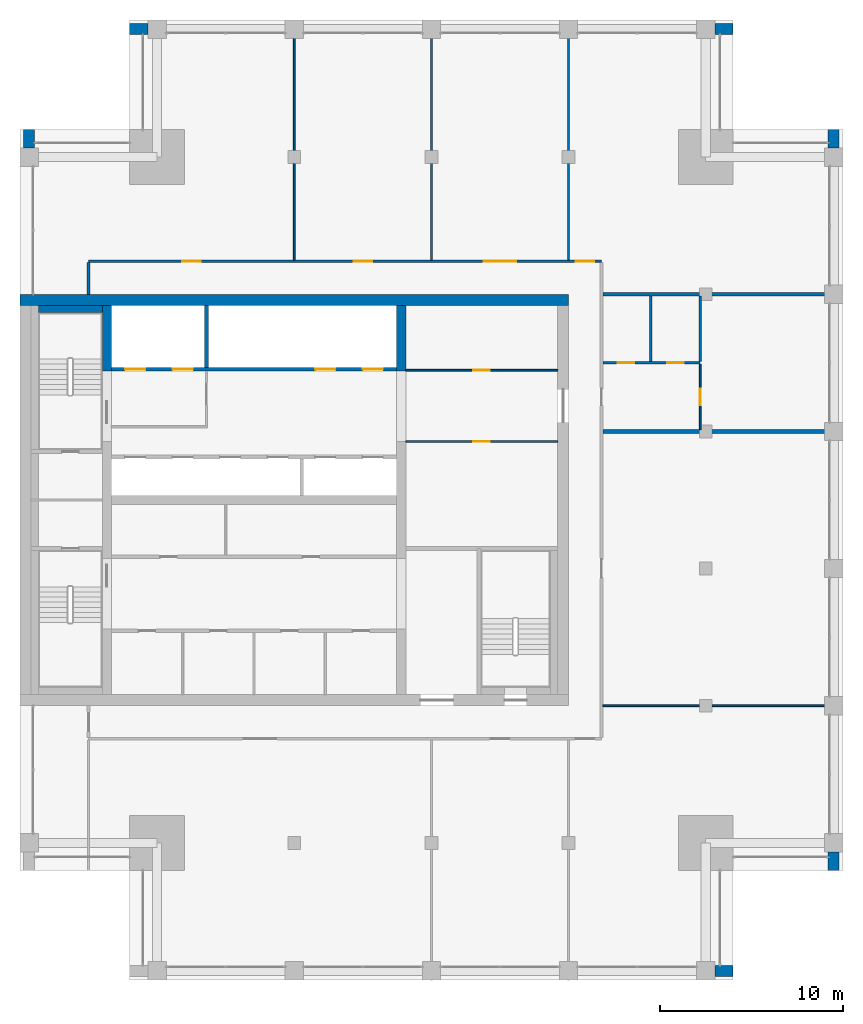
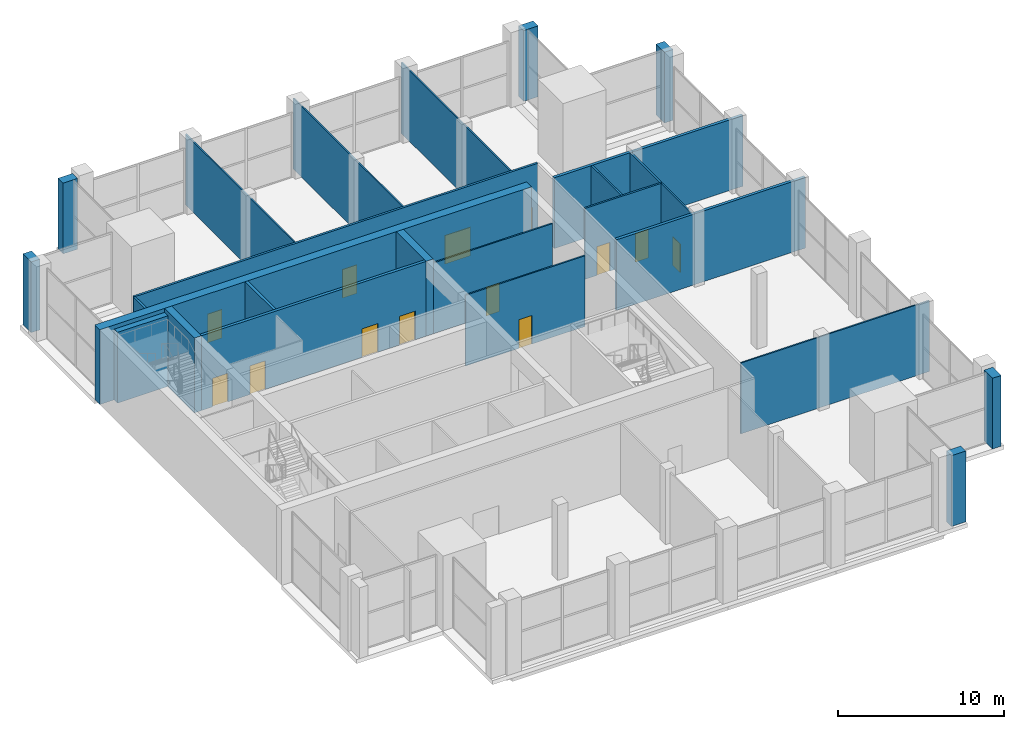
# One storey, part 10 of 15: 26 walls, 13 doors, 13 openings.
"""IFC4 building model written with IfcOpenShell, lengths in metres."""

from ifc_helpers import new_model, si_unit, direction, frame, frame_2d, origin, place, context, subcontext, project, spatial, rectangle, extrude, material, layer, layer_set, type_object, element, fill, save


model = new_model("IFC4")

# Units and contexts
model_context = context("Model", 3, precision=1e-05, world=origin(), true_north=direction((0.0, 1.0)))
body_context = subcontext(model_context, "Body", "Model", "MODEL_VIEW")
ifc_project = project(units=[si_unit("LENGTHUNIT", "METRE"), si_unit("AREAUNIT", "SQUARE_METRE"), si_unit("VOLUMEUNIT", "CUBIC_METRE"), si_unit("PLANEANGLEUNIT", "RADIAN"), si_unit("MASSUNIT", "GRAM", prefix="KILO")], contexts=[model_context])

# Site, building, storey
site_placement = place(None, origin())
site = spatial("IfcSite", under=ifc_project, at=site_placement, CompositionType="ELEMENT")
building_placement = place(site_placement, origin())
building = spatial("IfcBuilding", under=site, at=building_placement, Name="Tamorin Gate", CompositionType="ELEMENT")
storey_placement = place(building_placement, frame((0.0, 0.0, 292.199951171875)))
storey = spatial("IfcBuildingStorey", under=building, at=storey_placement, Name="L73", CompositionType="ELEMENT", Elevation=292.199951171875)

# Walls
ifc_material_1 = material(Name="Precast concrete C40/50", Category="concrete")
ifc_layer_1 = layer(ifc_material_1, 0.60009765625)
ifc_layer_set_1 = layer_set([ifc_layer_1], Name="Precast concrete C40/50")
wall_type_1 = type_object("IfcWallType", Name="Board-marked concrete facade panel 600", PredefinedType="SOLIDWALL", material=ifc_layer_set_1)
for number, where, z_axis, x_axis, name in (
    (1, (68.0, 45.5, 0.0), (0.0, 0.0, 1.0), (1.0, 0.0, 0.0), "Facade panel"),
    (2, (74.5, 51.0, 0.0), (0.0, 0.0, 1.0), (0.0, 1.0, 0.0), "Facade panel"),
    (3, (74.5, 90.5, 0.0), (0.0, 0.0, 1.0), (0.0, 1.0, 0.0), "Facade panel"),
    (4, (69.0, 97.0, 0.0), (0.0, 0.0, 1.0), (-1.0, 0.0, 0.0), "Facade panel"),
    (5, (37.0, 97.0, 0.0), (0.0, 0.0, 1.0), (-1.0, 0.0, 0.0), "Facade panel"),
    (6, (30.5, 91.5, 0.0), (0.0, 0.0, 1.0), (0.0, -1.0, 0.0), "Facade panel"),
):
    element("IfcWall", number, at=place(storey_placement, frame(where, z_axis=z_axis, x_axis=x_axis)), inside=storey, type_object=wall_type_1, Name=name, PredefinedType="SOLIDWALL", context=body_context, shape_type="SweptSolid", body=[
        extrude(rectangle(XDim=1.0, YDim=0.60009765625, at=frame_2d((0.5, 0.0))), origin(), (0.0, 0.0, 1.0), 5.199951171875),
    ])

# Wall, openings, doors
ifc_material_2 = material(Name="Gypsum board partition")
ifc_layer_2 = layer(ifc_material_2, 0.14990234375)
ifc_layer_set_2 = layer_set([ifc_layer_2], Name="Corridor wall 150")
wall_type_2 = type_object("IfcWallType", Name="Corridor wall 150", PredefinedType="PARTITIONING", material=ifc_layer_set_2)
wall_1_placement = place(storey_placement, frame((33.75, 84.300048828125, 0.0), z_axis=(0.0, 0.0, 1.0), x_axis=(1.0, 0.0, 0.0)))
wall_1 = element("IfcWall", 7, at=wall_1_placement, inside=storey, type_object=wall_type_2, Name="Corridor wall 150", PredefinedType="PARTITIONING", context=body_context, shape_type="SweptSolid", body=[
    extrude(rectangle(XDim=28.050048828125, YDim=0.14990234375, at=frame_2d((14.02490234375, 0.0))), origin(), (0.0, 0.0, 1.0), 5.199951171875),
])
opening_1_placement = place(wall_1_placement, frame((5.125, 0.0, 0.0)))
opening_1 = element("IfcOpeningElement", 8, at=opening_1_placement, cuts=wall_1, Name="Opening DSR1005", PredefinedType="OPENING", context=body_context, shape_type="SweptSolid", body=[
    extrude(rectangle(XDim=1.0, YDim=2.10009765625, at=frame_2d((0.5, 1.050048828125))), frame((0.0, 0.0849609375, 0.0), z_axis=(0.0, -1.0, 0.0), x_axis=(1.0, 0.0, 0.0)), (0.0, 0.0, 1.0), 0.169921875),
])
opening_2_placement = place(wall_1_placement, frame((14.5, 0.0, 0.0)))
opening_2 = element("IfcOpeningElement", 9, at=opening_2_placement, cuts=wall_1, Name="Opening DSR1006", PredefinedType="OPENING", context=body_context, shape_type="SweptSolid", body=[
    extrude(rectangle(XDim=1.0, YDim=2.10009765625, at=frame_2d((0.5, 1.050048828125))), frame((0.0, 0.0849609375, 0.0), z_axis=(0.0, -1.0, 0.0), x_axis=(1.0, 0.0, 0.0)), (0.0, 0.0, 1.0), 0.169921875),
])
opening_3_placement = place(wall_1_placement, frame((21.60009765625, 0.0, 0.0)))
opening_3 = element("IfcOpeningElement", 10, at=opening_3_placement, cuts=wall_1, Name="Opening DSR1007", PredefinedType="OPENING", context=body_context, shape_type="SweptSolid", body=[
    extrude(rectangle(XDim=1.800048828125, YDim=2.10009765625, at=frame_2d((0.89990234375, 1.050048828125))), frame((0.0, 0.0849609375, 0.0), z_axis=(0.0, -1.0, 0.0), x_axis=(1.0, 0.0, 0.0)), (0.0, 0.0, 1.0), 0.169921875),
])
opening_4_placement = place(wall_1_placement, frame((26.64990234375, 0.0, 0.0)))
opening_4 = element("IfcOpeningElement", 11, at=opening_4_placement, cuts=wall_1, Name="Opening DSR1008", PredefinedType="OPENING", context=body_context, shape_type="SweptSolid", body=[
    extrude(rectangle(XDim=1.0, YDim=2.10009765625, at=frame_2d((0.5, 1.050048828125))), frame((0.0, 0.0849609375, 0.0), z_axis=(0.0, -1.0, 0.0), x_axis=(1.0, 0.0, 0.0)), (0.0, 0.0, 1.0), 0.169921875),
])
ifc_material_3 = material(Name="Timber door leaf", Category="wood")
door_type_1 = type_object("IfcDoorType", Name="Door 1000 x 2100 FD30S", OperationType="NOTDEFINED", PredefinedType="DOOR", material=ifc_material_3)
door_1_placement = place(opening_1_placement, origin())
door_1 = element("IfcDoor", 12, at=door_1_placement, inside=storey, type_object=door_type_1, Name="Door DSR1005", OperationType="SINGLE_SWING_LEFT", OverallHeight=2.10009765625, OverallWidth=1.0, PredefinedType="DOOR", context=body_context, shape_type="SweptSolid", body=[
    extrude(rectangle(XDim=1.0, YDim=2.10009765625, at=frame_2d((0.5, 1.050048828125))), frame((0.0, 0.02490234375, 0.0), z_axis=(0.0, -1.0, 0.0), x_axis=(1.0, 0.0, 0.0)), (0.0, 0.0, 1.0), 0.050048828125),
])
fill(opening_1, door_1)
door_2_placement = place(opening_2_placement, origin())
door_2 = element("IfcDoor", 13, at=door_2_placement, inside=storey, type_object=door_type_1, Name="Door DSR1006", OperationType="SINGLE_SWING_LEFT", OverallHeight=2.10009765625, OverallWidth=1.0, PredefinedType="DOOR", context=body_context, shape_type="SweptSolid", body=[
    extrude(rectangle(XDim=1.0, YDim=2.10009765625, at=frame_2d((0.5, 1.050048828125))), frame((0.0, 0.02490234375, 0.0), z_axis=(0.0, -1.0, 0.0), x_axis=(1.0, 0.0, 0.0)), (0.0, 0.0, 1.0), 0.050048828125),
])
fill(opening_2, door_2)
door_3_placement = place(opening_4_placement, origin())
door_3 = element("IfcDoor", 14, at=door_3_placement, inside=storey, type_object=door_type_1, Name="Door DSR1008", OperationType="SINGLE_SWING_LEFT", OverallHeight=2.10009765625, OverallWidth=1.0, PredefinedType="DOOR", context=body_context, shape_type="SweptSolid", body=[
    extrude(rectangle(XDim=1.0, YDim=2.10009765625, at=frame_2d((0.5, 1.050048828125))), frame((0.0, 0.02490234375, 0.0), z_axis=(0.0, -1.0, 0.0), x_axis=(1.0, 0.0, 0.0)), (0.0, 0.0, 1.0), 0.050048828125),
])
fill(opening_4, door_3)
door_type_2 = type_object("IfcDoorType", Name="Door 1800 x 2100 FD30S", OperationType="DOUBLE_DOOR_SINGLE_SWING", PredefinedType="DOOR", material=ifc_material_3)
door_4_placement = place(opening_3_placement, origin())
door_4 = element("IfcDoor", 15, at=door_4_placement, inside=storey, type_object=door_type_2, Name="Door DSR1007", OperationType="DOUBLE_DOOR_SINGLE_SWING", OverallHeight=2.10009765625, OverallWidth=1.800048828125, PredefinedType="DOOR", context=body_context, shape_type="SweptSolid", body=[
    extrude(rectangle(XDim=1.800048828125, YDim=2.10009765625, at=frame_2d((0.89990234375, 1.050048828125))), frame((0.0, 0.02490234375, 0.0), z_axis=(0.0, -1.0, 0.0), x_axis=(1.0, 0.0, 0.0)), (0.0, 0.0, 1.0), 0.050048828125),
])
fill(opening_3, door_4)

# Walls
wall_2_placement = place(storey_placement, frame((33.75, 82.5, 0.0), z_axis=(0.0, 0.0, 1.0), x_axis=(0.0, 1.0, 0.0)))
element("IfcWall", 16, at=wall_2_placement, inside=storey, type_object=wall_type_2, Name="Corridor wall 150", PredefinedType="PARTITIONING", context=body_context, shape_type="SweptSolid", body=[
    extrude(rectangle(XDim=1.72509765625, YDim=0.14990234375, at=frame_2d((0.862548828125, 0.0))), origin(), (0.0, 0.0, 1.0), 5.199951171875),
])
ifc_layer_3 = layer(ifc_material_2, 0.199951171875)
ifc_layer_set_3 = layer_set([ifc_layer_3], Name="Demising wall 200")
wall_type_3 = type_object("IfcWallType", Name="Demising wall 200", PredefinedType="PARTITIONING", material=ifc_layer_set_3)
for number, where, z_axis, x_axis, name in (
    (17, (61.875, 75.0, 0.0), (0.0, 0.0, 1.0), (1.0, 0.0, 0.0), "Demising wall 200"),
    (18, (61.875, 82.5, 0.0), (0.0, 0.0, 1.0), (1.0, 0.0, 0.0), "Demising wall 200"),
):
    element("IfcWall", number, at=place(storey_placement, frame(where, z_axis=z_axis, x_axis=x_axis)), inside=storey, type_object=wall_type_3, Name=name, PredefinedType="PARTITIONING", context=body_context, shape_type="SweptSolid", body=[
        extrude(rectangle(XDim=13.125, YDim=0.199951171875, at=frame_2d((6.5625, 0.0))), origin(), (0.0, 0.0, 1.0), 5.199951171875),
    ])

# Wall, openings, doors
ifc_material_4 = material(Name="Concrete C32/40", Category="concrete")
ifc_layer_4 = layer(ifc_material_4, 0.199951171875)
ifc_layer_set_4 = layer_set([ifc_layer_4], Name="Lift lobby face wall 200 EI 120")
wall_type_4 = type_object("IfcWallType", Name="Lift lobby face wall 200 EI 120", PredefinedType="SOLIDWALL", material=ifc_layer_set_4)
wall_3_placement = place(storey_placement, frame((35.0, 78.39990234375, 0.0), z_axis=(0.0, 0.0, 1.0), x_axis=(1.0, 0.0, 0.0)))
wall_3 = element("IfcWall", 19, at=wall_3_placement, inside=storey, type_object=wall_type_4, Name="Lift lobby face wall", PredefinedType="SOLIDWALL", context=body_context, shape_type="SweptSolid", body=[
    extrude(rectangle(XDim=15.60009765625, YDim=0.199951171875, at=frame_2d((7.800048828125, 0.0))), origin(), (0.0, 0.0, 1.0), 5.5),
])
opening_5_placement = place(wall_3_placement, frame((0.75, 0.0, 0.0)))
opening_5 = element("IfcOpeningElement", 20, at=opening_5_placement, cuts=wall_3, Name="Opening LD17", PredefinedType="OPENING", context=body_context, shape_type="SweptSolid", body=[
    extrude(rectangle(XDim=1.10009765625, YDim=2.10009765625, at=frame_2d((0.550048828125, 1.050048828125))), frame((0.0, 0.10986328125, 0.0), z_axis=(0.0, -1.0, 0.0), x_axis=(1.0, 0.0, 0.0)), (0.0, 0.0, 1.0), 0.219970703125),
])
opening_6_placement = place(wall_3_placement, frame((3.35009765625, 0.0, 0.0)))
opening_6 = element("IfcOpeningElement", 21, at=opening_6_placement, cuts=wall_3, Name="Opening LD18", PredefinedType="OPENING", context=body_context, shape_type="SweptSolid", body=[
    extrude(rectangle(XDim=1.10009765625, YDim=2.10009765625, at=frame_2d((0.550048828125, 1.050048828125))), frame((0.0, 0.10986328125, 0.0), z_axis=(0.0, -1.0, 0.0), x_axis=(1.0, 0.0, 0.0)), (0.0, 0.0, 1.0), 0.219970703125),
])
opening_7_placement = place(wall_3_placement, frame((11.14990234375, 0.0, 0.0)))
opening_7 = element("IfcOpeningElement", 22, at=opening_7_placement, cuts=wall_3, Name="Opening LD21", PredefinedType="OPENING", context=body_context, shape_type="SweptSolid", body=[
    extrude(rectangle(XDim=1.10009765625, YDim=2.10009765625, at=frame_2d((0.550048828125, 1.050048828125))), frame((0.0, 0.10986328125, 0.0), z_axis=(0.0, -1.0, 0.0), x_axis=(1.0, 0.0, 0.0)), (0.0, 0.0, 1.0), 0.219970703125),
])
opening_8_placement = place(wall_3_placement, frame((13.75, 0.0, 0.0)))
opening_8 = element("IfcOpeningElement", 23, at=opening_8_placement, cuts=wall_3, Name="Opening LD22", PredefinedType="OPENING", context=body_context, shape_type="SweptSolid", body=[
    extrude(rectangle(XDim=1.10009765625, YDim=2.10009765625, at=frame_2d((0.550048828125, 1.050048828125))), frame((0.0, 0.10986328125, 0.0), z_axis=(0.0, -1.0, 0.0), x_axis=(1.0, 0.0, 0.0)), (0.0, 0.0, 1.0), 0.219970703125),
])
ifc_material_5 = material(Name="Stainless steel sliding door", Category="steel")
door_type_3 = type_object("IfcDoorType", Name="Lift landing door 1100 x 2100 E 90", OperationType="DOUBLE_DOOR_SLIDING", PredefinedType="DOOR", material=ifc_material_5)
door_5_placement = place(opening_5_placement, origin())
door_5 = element("IfcDoor", 24, at=door_5_placement, inside=storey, type_object=door_type_3, Name="FF1 landing door", OperationType="DOUBLE_DOOR_SLIDING", OverallHeight=2.10009765625, OverallWidth=1.10009765625, PredefinedType="DOOR", context=body_context, shape_type="SweptSolid", body=[
    extrude(rectangle(XDim=1.10009765625, YDim=2.10009765625, at=frame_2d((0.550048828125, 1.050048828125))), frame((0.0, 0.02490234375, 0.0), z_axis=(0.0, -1.0, 0.0), x_axis=(1.0, 0.0, 0.0)), (0.0, 0.0, 1.0), 0.050048828125),
])
fill(opening_5, door_5)
door_6_placement = place(opening_6_placement, origin())
door_6 = element("IfcDoor", 25, at=door_6_placement, inside=storey, type_object=door_type_3, Name="FF2 landing door", OperationType="DOUBLE_DOOR_SLIDING", OverallHeight=2.10009765625, OverallWidth=1.10009765625, PredefinedType="DOOR", context=body_context, shape_type="SweptSolid", body=[
    extrude(rectangle(XDim=1.10009765625, YDim=2.10009765625, at=frame_2d((0.550048828125, 1.050048828125))), frame((0.0, 0.02490234375, 0.0), z_axis=(0.0, -1.0, 0.0), x_axis=(1.0, 0.0, 0.0)), (0.0, 0.0, 1.0), 0.050048828125),
])
fill(opening_6, door_6)
door_7_placement = place(opening_7_placement, origin())
door_7 = element("IfcDoor", 26, at=door_7_placement, inside=storey, type_object=door_type_3, Name="SV1 landing door", OperationType="DOUBLE_DOOR_SLIDING", OverallHeight=2.10009765625, OverallWidth=1.10009765625, PredefinedType="DOOR", context=body_context, shape_type="SweptSolid", body=[
    extrude(rectangle(XDim=1.10009765625, YDim=2.10009765625, at=frame_2d((0.550048828125, 1.050048828125))), frame((0.0, 0.02490234375, 0.0), z_axis=(0.0, -1.0, 0.0), x_axis=(1.0, 0.0, 0.0)), (0.0, 0.0, 1.0), 0.050048828125),
])
fill(opening_7, door_7)
door_8_placement = place(opening_8_placement, origin())
door_8 = element("IfcDoor", 27, at=door_8_placement, inside=storey, type_object=door_type_3, Name="SV2 landing door", OperationType="DOUBLE_DOOR_SLIDING", OverallHeight=2.10009765625, OverallWidth=1.10009765625, PredefinedType="DOOR", context=body_context, shape_type="SweptSolid", body=[
    extrude(rectangle(XDim=1.10009765625, YDim=2.10009765625, at=frame_2d((0.550048828125, 1.050048828125))), frame((0.0, 0.02490234375, 0.0), z_axis=(0.0, -1.0, 0.0), x_axis=(1.0, 0.0, 0.0)), (0.0, 0.0, 1.0), 0.050048828125),
])
fill(opening_8, door_8)

# Walls
ifc_layer_5 = layer(ifc_material_4, 0.199951171875)
ifc_layer_set_5 = layer_set([ifc_layer_5], Name="Lift shaft wall 200 EI 120")
wall_type_5 = type_object("IfcWallType", Name="Lift shaft wall 200 EI 120", PredefinedType="SOLIDWALL", material=ifc_layer_set_5)
wall_4_placement = place(storey_placement, frame((40.199951171875, 78.5, 0.0), z_axis=(0.0, 0.0, 1.0), x_axis=(0.0, 1.0, 0.0)))
element("IfcWall", 28, at=wall_4_placement, inside=storey, type_object=wall_type_5, Name="Lift shaft wall", PredefinedType="SOLIDWALL", context=body_context, shape_type="SweptSolid", body=[
    extrude(rectangle(XDim=3.39990234375, YDim=0.199951171875, at=frame_2d((1.699951171875, 0.0))), origin(), (0.0, 0.0, 1.0), 5.5),
])
ifc_material_6 = material(Name="Concrete C50/60", Category="concrete")
ifc_layer_6 = layer(ifc_material_6, 0.5)
ifc_layer_set_6 = layer_set([ifc_layer_6], Name="RC core internal wall 500 C50/60")
wall_type_6 = type_object("IfcWallType", Name="RC core internal wall 500 C50/60", PredefinedType="SHEAR", material=ifc_layer_set_6)
for number, where, z_axis, x_axis, name in (
    (29, (34.75, 78.300048828125, 0.0), (0.0, 0.0, 1.0), (0.0, 1.0, 0.0), "Core cross wall L73"),
    (30, (50.85009765625, 78.300048828125, 0.0), (0.0, 0.0, 1.0), (0.0, 1.0, 0.0), "Core cross wall L73"),
):
    element("IfcWall", number, at=place(storey_placement, frame(where, z_axis=z_axis, x_axis=x_axis)), inside=storey, type_object=wall_type_6, Name=name, PredefinedType="SHEAR", context=body_context, shape_type="SweptSolid", body=[
        extrude(rectangle(XDim=3.599853515625, YDim=0.5, at=frame_2d((1.7998046875, 0.0))), origin(), (0.0, 0.0, 1.0), 5.5),
    ])
ifc_layer_7 = layer(ifc_material_6, 0.60009765625)
ifc_layer_set_7 = layer_set([ifc_layer_7], Name="RC core wall 600 C50/60")
wall_type_7 = type_object("IfcWallType", Name="RC core wall 600 C50/60", PredefinedType="SHEAR", material=ifc_layer_set_7)
wall_5_placement = place(storey_placement, frame((30.0, 82.199951171875, 0.0), z_axis=(0.0, 0.0, 1.0), x_axis=(1.0, 0.0, 0.0)))
element("IfcWall", 31, at=wall_5_placement, inside=storey, type_object=wall_type_7, Name="Core wall L73", PredefinedType="SHEAR", context=body_context, shape_type="SweptSolid", body=[
    extrude(rectangle(XDim=30.0, YDim=0.60009765625, at=frame_2d((15.0, 0.0))), origin(), (0.0, 0.0, 1.0), 5.5),
])
ifc_layer_8 = layer(ifc_material_2, 0.10009765625)
ifc_layer_set_8 = layer_set([ifc_layer_8], Name="Room partition 100")
wall_type_8 = type_object("IfcWallType", Name="Room partition 100", PredefinedType="PARTITIONING", material=ifc_layer_set_8)
for number, where, z_axis, x_axis, name in (
    (32, (61.875, 60.0, 0.0), (0.0, 0.0, 1.0), (1.0, 0.0, 0.0), "Room partition 100"),
    (33, (45.0, 84.375, 0.0), (0.0, 0.0, 1.0), (0.0, 1.0, 0.0), "Room partition 100"),
    (34, (52.5, 84.375, 0.0), (0.0, 0.0, 1.0), (0.0, 1.0, 0.0), "Room partition 100"),
    (35, (60.0, 84.375, 0.0), (0.0, 0.0, 1.0), (0.0, 1.0, 0.0), "Room partition 100"),
):
    element("IfcWall", number, at=place(storey_placement, frame(where, z_axis=z_axis, x_axis=x_axis)), inside=storey, type_object=wall_type_8, Name=name, PredefinedType="PARTITIONING", context=body_context, shape_type="SweptSolid", body=[
        extrude(rectangle(XDim=13.125, YDim=0.10009765625, at=frame_2d((6.5625, 0.0))), origin(), (0.0, 0.0, 1.0), 5.199951171875),
    ])

# Wall, opening, door
wall_6_placement = place(storey_placement, frame((67.199951171875, 75.10009765625, 0.0), z_axis=(0.0, 0.0, 1.0), x_axis=(0.0, 1.0, 0.0)))
wall_6 = element("IfcWall", 36, at=wall_6_placement, inside=storey, type_object=wall_type_8, Name="Room partition 100", PredefinedType="PARTITIONING", context=body_context, shape_type="SweptSolid", body=[
    extrude(rectangle(XDim=3.58740234375, YDim=0.10009765625, at=frame_2d((1.793701171875, 0.0))), origin(), (0.0, 0.0, 1.0), 5.199951171875),
])
opening_9_placement = place(wall_6_placement, frame((1.324951171875, 0.0, 0.0)))
opening_9 = element("IfcOpeningElement", 37, at=opening_9_placement, cuts=wall_6, Name="Opening DSR1011", PredefinedType="OPENING", context=body_context, shape_type="SweptSolid", body=[
    extrude(rectangle(XDim=0.89990234375, YDim=2.10009765625, at=frame_2d((0.449951171875, 1.050048828125))), frame((0.0, 0.06005859375, 0.0), z_axis=(0.0, -1.0, 0.0), x_axis=(1.0, 0.0, 0.0)), (0.0, 0.0, 1.0), 0.1201171875),
])
door_type_4 = type_object("IfcDoorType", Name="Door 900 x 2100", OperationType="NOTDEFINED", PredefinedType="DOOR", material=ifc_material_3)
door_9_placement = place(opening_9_placement, origin())
door_9 = element("IfcDoor", 38, at=door_9_placement, inside=storey, type_object=door_type_4, Name="Door DSR1011", OperationType="SINGLE_SWING_LEFT", OverallHeight=2.10009765625, OverallWidth=0.89990234375, PredefinedType="DOOR", context=body_context, shape_type="SweptSolid", body=[
    extrude(rectangle(XDim=0.89990234375, YDim=2.10009765625, at=frame_2d((0.449951171875, 1.050048828125))), frame((0.0, 0.02490234375, 0.0), z_axis=(0.0, -1.0, 0.0), x_axis=(1.0, 0.0, 0.0)), (0.0, 0.0, 1.0), 0.050048828125),
])
fill(opening_9, door_9)

ifc_layer_9 = layer(ifc_material_2, 0.10009765625)
ifc_layer_set_9 = layer_set([ifc_layer_9], Name="Service room partition 100 EI 60")
wall_type_9 = type_object("IfcWallType", Name="Service room partition 100 EI 60", PredefinedType="PARTITIONING", material=ifc_layer_set_9)
wall_7_placement = place(storey_placement, frame((51.10009765625, 74.449951171875, 0.0), z_axis=(0.0, 0.0, 1.0), x_axis=(1.0, 0.0, 0.0)))
wall_7 = element("IfcWall", 39, at=wall_7_placement, inside=storey, type_object=wall_type_9, Name="Service room wall", PredefinedType="PARTITIONING", context=body_context, shape_type="SweptSolid", body=[
    extrude(rectangle(XDim=8.2998046875, YDim=0.10009765625, at=frame_2d((4.14990234375, 0.0))), origin(), (0.0, 0.0, 1.0), 5.199951171875),
])
opening_10_placement = place(wall_7_placement, frame((3.699951171875, 0.0, 0.0)))
opening_10 = element("IfcOpeningElement", 40, at=opening_10_placement, cuts=wall_7, Name="Opening DR1", PredefinedType="OPENING", context=body_context, shape_type="SweptSolid", body=[
    extrude(rectangle(XDim=0.89990234375, YDim=2.10009765625, at=frame_2d((0.449951171875, 1.050048828125))), frame((0.0, 0.06005859375, 0.0), z_axis=(0.0, -1.0, 0.0), x_axis=(1.0, 0.0, 0.0)), (0.0, 0.0, 1.0), 0.1201171875),
])
ifc_material_7 = material(Name="Steel fire door", Category="steel")
door_type_5 = type_object("IfcDoorType", Name="Riser access door 900 x 2100 EI 120", OperationType="SINGLE_SWING_LEFT", PredefinedType="DOOR", material=ifc_material_7)
door_10_placement = place(opening_10_placement, origin())
door_10 = element("IfcDoor", 41, at=door_10_placement, inside=storey, type_object=door_type_5, Name="Duct riser door", OperationType="SINGLE_SWING_LEFT", OverallHeight=2.10009765625, OverallWidth=0.89990234375, PredefinedType="DOOR", context=body_context, shape_type="SweptSolid", body=[
    extrude(rectangle(XDim=0.89990234375, YDim=2.10009765625, at=frame_2d((0.449951171875, 1.050048828125))), frame((0.0, 0.02490234375, 0.0), z_axis=(0.0, -1.0, 0.0), x_axis=(1.0, 0.0, 0.0)), (0.0, 0.0, 1.0), 0.050048828125),
])
fill(opening_10, door_10)

wall_8_placement = place(storey_placement, frame((51.10009765625, 78.35009765625, 0.0), z_axis=(0.0, 0.0, 1.0), x_axis=(1.0, 0.0, 0.0)))
wall_8 = element("IfcWall", 42, at=wall_8_placement, inside=storey, type_object=wall_type_9, Name="Service room wall", PredefinedType="PARTITIONING", context=body_context, shape_type="SweptSolid", body=[
    extrude(rectangle(XDim=8.2998046875, YDim=0.10009765625, at=frame_2d((4.14990234375, 0.0))), origin(), (0.0, 0.0, 1.0), 5.199951171875),
])
opening_11_placement = place(wall_8_placement, frame((3.699951171875, 0.0, 0.0)))
opening_11 = element("IfcOpeningElement", 43, at=opening_11_placement, cuts=wall_8, Name="Opening DK1", PredefinedType="OPENING", context=body_context, shape_type="SweptSolid", body=[
    extrude(rectangle(XDim=0.89990234375, YDim=2.10009765625, at=frame_2d((0.449951171875, 1.050048828125))), frame((0.0, 0.06005859375, 0.0), z_axis=(0.0, -1.0, 0.0), x_axis=(1.0, 0.0, 0.0)), (0.0, 0.0, 1.0), 0.1201171875),
])
ifc_material_8 = material(Name="Timber fire door", Category="wood")
door_type_6 = type_object("IfcDoorType", Name="Service room door 900 x 2100 EI 60", OperationType="SINGLE_SWING_LEFT", PredefinedType="DOOR", material=ifc_material_8)
door_11_placement = place(opening_11_placement, origin())
door_11 = element("IfcDoor", 44, at=door_11_placement, inside=storey, type_object=door_type_6, Name="Door Linen store", OperationType="SINGLE_SWING_LEFT", OverallHeight=2.10009765625, OverallWidth=0.89990234375, PredefinedType="DOOR", context=body_context, shape_type="SweptSolid", body=[
    extrude(rectangle(XDim=0.89990234375, YDim=2.10009765625, at=frame_2d((0.449951171875, 1.050048828125))), frame((0.0, 0.02490234375, 0.0), z_axis=(0.0, -1.0, 0.0), x_axis=(1.0, 0.0, 0.0)), (0.0, 0.0, 1.0), 0.050048828125),
])
fill(opening_11, door_11)

# Wall
ifc_layer_10 = layer(ifc_material_6, 0.39990234375)
ifc_layer_set_10 = layer_set([ifc_layer_10], Name="Stair lining wall 400 EI 120 C50/60")
wall_type_10 = type_object("IfcWallType", Name="Stair lining wall 400 EI 120 C50/60", PredefinedType="SOLIDWALL", material=ifc_layer_set_10)
wall_9_placement = place(storey_placement, frame((31.0, 81.699951171875, 0.0), z_axis=(0.0, 0.0, 1.0), x_axis=(1.0, 0.0, 0.0)))
element("IfcWall", 45, at=wall_9_placement, inside=storey, type_object=wall_type_10, Name="Stair lining wall", PredefinedType="SOLIDWALL", context=body_context, shape_type="SweptSolid", body=[
    extrude(rectangle(XDim=3.5, YDim=0.39990234375, at=frame_2d((1.75, 0.0))), origin(), (0.0, 0.0, 1.0), 5.199951171875),
])

# Wall, openings, doors
ifc_layer_11 = layer(ifc_material_2, 0.125)
ifc_layer_set_11 = layer_set([ifc_layer_11], Name="Wet wall 125")
wall_type_11 = type_object("IfcWallType", Name="Wet wall 125", PredefinedType="PARTITIONING", material=ifc_layer_set_11)
wall_10_placement = place(storey_placement, frame((61.875, 78.75, 0.0), z_axis=(0.0, 0.0, 1.0), x_axis=(1.0, 0.0, 0.0)))
wall_10 = element("IfcWall", 46, at=wall_10_placement, inside=storey, type_object=wall_type_11, Name="Wet wall 125", PredefinedType="PARTITIONING", context=body_context, shape_type="SweptSolid", body=[
    extrude(rectangle(XDim=5.324951171875, YDim=0.125, at=frame_2d((2.66259765625, 0.0))), origin(), (0.0, 0.0, 1.0), 5.199951171875),
])
opening_12_placement = place(wall_10_placement, frame((3.52490234375, 0.0, 0.0)))
opening_12 = element("IfcOpeningElement", 47, at=opening_12_placement, cuts=wall_10, Name="Opening DSR1012", PredefinedType="OPENING", context=body_context, shape_type="SweptSolid", body=[
    extrude(rectangle(XDim=0.89990234375, YDim=2.10009765625, at=frame_2d((0.449951171875, 1.050048828125))), frame((0.0, 0.072509765625, 0.0), z_axis=(0.0, -1.0, 0.0), x_axis=(1.0, 0.0, 0.0)), (0.0, 0.0, 1.0), 0.14501953125),
])
opening_13_placement = place(wall_10_placement, frame((0.824951171875, 0.0, 0.0)))
opening_13 = element("IfcOpeningElement", 48, at=opening_13_placement, cuts=wall_10, Name="Opening DSR1013", PredefinedType="OPENING", context=body_context, shape_type="SweptSolid", body=[
    extrude(rectangle(XDim=0.89990234375, YDim=2.10009765625, at=frame_2d((0.449951171875, 1.050048828125))), frame((0.0, 0.072509765625, 0.0), z_axis=(0.0, -1.0, 0.0), x_axis=(1.0, 0.0, 0.0)), (0.0, 0.0, 1.0), 0.14501953125),
])
door_12_placement = place(opening_12_placement, origin())
door_12 = element("IfcDoor", 49, at=door_12_placement, inside=storey, type_object=door_type_4, Name="Door DSR1012", OperationType="SINGLE_SWING_LEFT", OverallHeight=2.10009765625, OverallWidth=0.89990234375, PredefinedType="DOOR", context=body_context, shape_type="SweptSolid", body=[
    extrude(rectangle(XDim=0.89990234375, YDim=2.10009765625, at=frame_2d((0.449951171875, 1.050048828125))), frame((0.0, 0.02490234375, 0.0), z_axis=(0.0, -1.0, 0.0), x_axis=(1.0, 0.0, 0.0)), (0.0, 0.0, 1.0), 0.050048828125),
])
fill(opening_12, door_12)
door_13_placement = place(opening_13_placement, origin())
door_13 = element("IfcDoor", 50, at=door_13_placement, inside=storey, type_object=door_type_4, Name="Door DSR1013", OperationType="SINGLE_SWING_LEFT", OverallHeight=2.10009765625, OverallWidth=0.89990234375, PredefinedType="DOOR", context=body_context, shape_type="SweptSolid", body=[
    extrude(rectangle(XDim=0.89990234375, YDim=2.10009765625, at=frame_2d((0.449951171875, 1.050048828125))), frame((0.0, 0.02490234375, 0.0), z_axis=(0.0, -1.0, 0.0), x_axis=(1.0, 0.0, 0.0)), (0.0, 0.0, 1.0), 0.050048828125),
])
fill(opening_13, door_13)

# Walls
for number, where, z_axis, x_axis, name in (
    (51, (64.5, 78.8125, 0.0), (0.0, 0.0, 1.0), (0.0, 1.0, 0.0), "Wet wall 125"),
    (52, (67.199951171875, 78.8125, 0.0), (0.0, 0.0, 1.0), (0.0, 1.0, 0.0), "Wet wall 125"),
):
    element("IfcWall", number, at=place(storey_placement, frame(where, z_axis=z_axis, x_axis=x_axis)), inside=storey, type_object=wall_type_11, Name=name, PredefinedType="PARTITIONING", context=body_context, shape_type="SweptSolid", body=[
        extrude(rectangle(XDim=3.58740234375, YDim=0.125, at=frame_2d((1.793701171875, 0.0))), origin(), (0.0, 0.0, 1.0), 5.199951171875),
    ])

save(model, "model.ifc")
